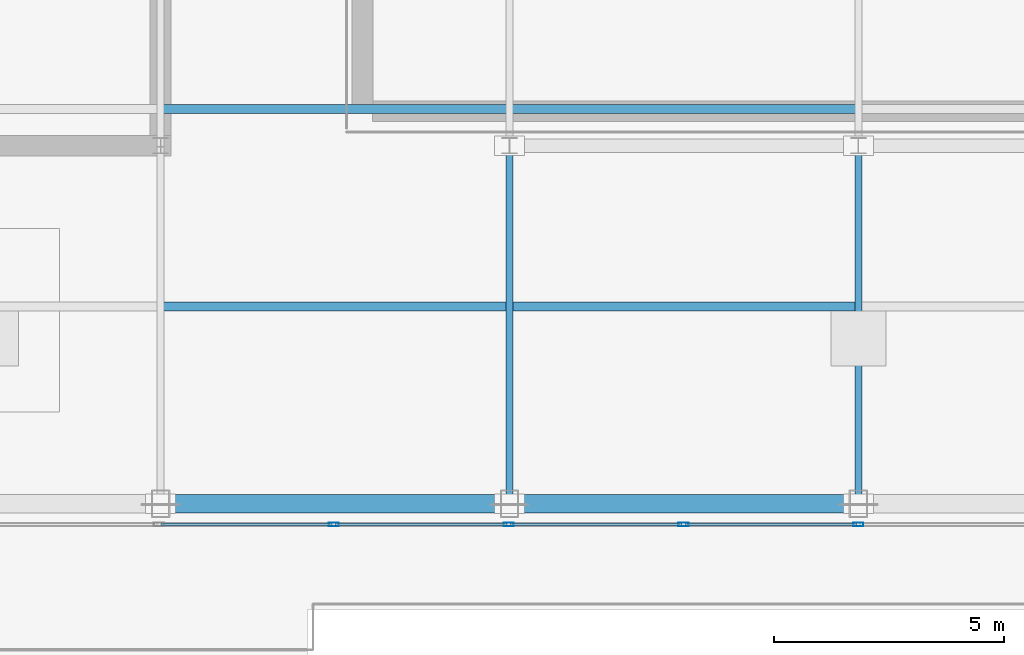
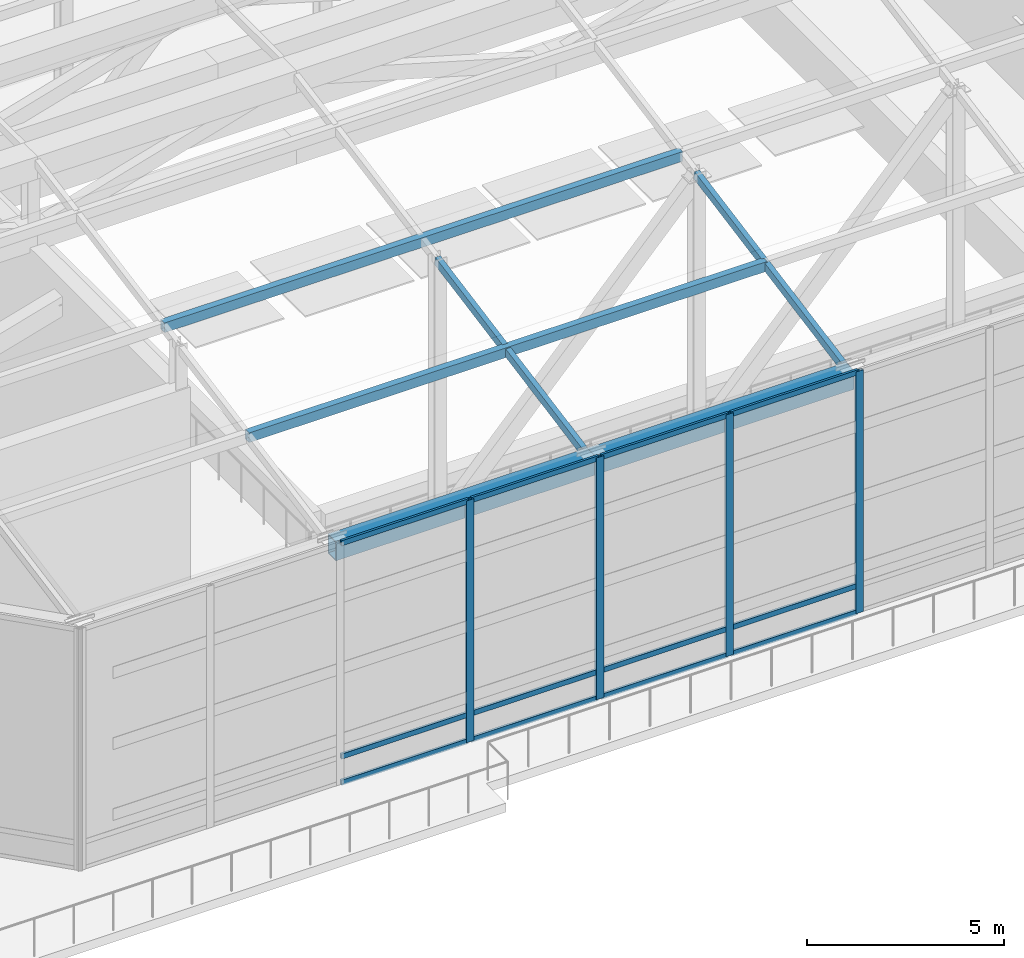
# One storey, part 6 of 25: 20 members, 2 beams, 1 element without a shape of its own.
"""IFC4 building model written with IfcOpenShell, lengths in metres."""

from ifc_helpers import new_model, si_unit, direction, frame, origin, origin_2d, place, context, subcontext, project, spatial, hollow_rectangle, extrude, source, transform, mapped, material, layer, layer_set, material_profile, profile_set, type_object, type_shapes, element, aggregate, save


model = new_model("IFC4")

# Units and contexts
model_context = context("Model", 3, precision=1e-05, world=origin(), true_north=direction((0.0, 1.0)))
body_context = subcontext(model_context, "Body", "Model", "MODEL_VIEW")
ifc_project = project(units=[si_unit("LENGTHUNIT", "METRE"), si_unit("AREAUNIT", "SQUARE_METRE"), si_unit("VOLUMEUNIT", "CUBIC_METRE"), si_unit("PLANEANGLEUNIT", "RADIAN"), si_unit("MASSUNIT", "GRAM", prefix="KILO")], contexts=[model_context])

# Site, building, storey
site_placement = place(None, origin())
site = spatial("IfcSite", under=ifc_project, at=site_placement, CompositionType="ELEMENT")
building_placement = place(site_placement, origin())
building = spatial("IfcBuilding", under=site, at=building_placement, Name="Haelvirn Gate Laboratories", CompositionType="ELEMENT")
storey_placement = place(building_placement, frame((0.0, 0.0, 337.800048828125)))
storey = spatial("IfcBuildingStorey", under=building, at=storey_placement, Name="RF", CompositionType="ELEMENT", Elevation=337.800048828125)

# Beams
ifc_material_1 = material(Name="Steel SM420", Category="steel")
ifc_material_profile_1 = material_profile(ifc_material_1, hollow_rectangle(XDim=0.39990234375, YDim=0.60009765625, WallThickness=0.02490234375, at=origin_2d()), Name="BOX-600x400x25")
ifc_profile_set_1 = profile_set([ifc_material_profile_1], Name="Steel SM420")
beam_type = type_object("IfcBeamType", Name="BM-CROWN-CAP", PredefinedType="USERDEFINED", material=ifc_profile_set_1)
shared_shape_1 = source(origin(), body_context, "Body", "SweptSolid", [
    extrude(hollow_rectangle(XDim=0.39990234375, YDim=0.60009765625, WallThickness=0.02490234375, at=origin_2d()), origin(), (0.0, 0.0, 1.0), 7.60009765625),
])
beam_1_placement = place(storey_placement, frame((22.199951171875, 7.0, 7.050048828125), z_axis=(1.0, 0.0, 0.0), x_axis=(0.0, 1.0, 0.0)))
element("IfcBeam", 1, at=beam_1_placement, inside=storey, type_object=beam_type, Name="RF Crown Frame Cap Ring Beam S2-S3", ObjectType="CROWN FRAME", PredefinedType="USERDEFINED", context=body_context, shape_type="MappedRepresentation", body=[
    mapped(shared_shape_1, transform((0.0, 0.0, 0.0), scale=1.0)),
])
shared_shape_2 = source(origin(), body_context, "Body", "SweptSolid", [
    extrude(hollow_rectangle(XDim=0.39990234375, YDim=0.60009765625, WallThickness=0.02490234375, at=origin_2d()), origin(), (0.0, 0.0, 1.0), 7.599853515625),
])
type_shapes(beam_type, [shared_shape_1, shared_shape_2])
beam_2_placement = place(storey_placement, frame((29.800048828125, 7.0, 7.050048828125), z_axis=(1.0, 0.0, 0.0), x_axis=(0.0, 1.0, 0.0)))
element("IfcBeam", 2, at=beam_2_placement, inside=storey, type_object=beam_type, Name="RF Crown Frame Cap Ring Beam S3-S4", ObjectType="CROWN FRAME", PredefinedType="USERDEFINED", context=body_context, shape_type="MappedRepresentation", body=[
    mapped(shared_shape_2, transform((0.0, 0.0, 0.0), scale=1.0)),
])

# Members
ifc_material_2 = material(Name="Steel SM355", Category="steel")
ifc_material_profile_2 = material_profile(ifc_material_2, hollow_rectangle(XDim=0.14990234375, YDim=0.25, WallThickness=0.010009765625, at=origin_2d()), Name="RHS-250x150x10")
ifc_profile_set_2 = profile_set([ifc_material_profile_2], Name="Steel SM355")
member_type_1 = type_object("IfcMemberType", Name="MEM-CROWN-RAF", PredefinedType="RAFTER", material=ifc_profile_set_2)
shared_shape_3 = source(origin(), body_context, "Body", "SweptSolid", [
    extrude(hollow_rectangle(XDim=0.14990234375, YDim=0.25, WallThickness=0.010009765625, at=origin_2d()), origin(), (0.0, 0.0, 1.0), 7.9375),
])
type_shapes(member_type_1, [shared_shape_3])
for number, where, z_axis, x_axis, name in (
    (3, (29.800048828125, 7.0, 7.099853515625), (0.0, 0.982673493777, 0.185345096044), (-1.0, 0.0, 0.0), "RF Vault Rafter Chord X29.8-1"),
    (4, (37.39990234375, 7.0, 7.099853515625), (0.0, 0.982673493777, 0.185345096044), (-1.0, 0.0, 0.0), "RF Vault Rafter Chord X37.4-1"),
):
    element("IfcMember", number, at=place(storey_placement, frame(where, z_axis=z_axis, x_axis=x_axis)), inside=storey, type_object=member_type_1, Name=name, PredefinedType="RAFTER", context=body_context, shape_type="MappedRepresentation", body=[
        mapped(shared_shape_3, transform((0.0, 0.0, 0.0), scale=1.0)),
    ])
ifc_material_profile_3 = material_profile(ifc_material_2, hollow_rectangle(XDim=0.199951171875, YDim=0.300048828125, WallThickness=0.011962890625, at=origin_2d()), Name="RHS-300x200x12")
ifc_profile_set_3 = profile_set([ifc_material_profile_3], Name="Steel SM355")
member_type_2 = type_object("IfcMemberType", Name="MEM-ROOF-PURL", PredefinedType="PURLIN", material=ifc_profile_set_3)
shared_shape_4 = source(origin(), body_context, "Body", "SweptSolid", [
    extrude(hollow_rectangle(XDim=0.199951171875, YDim=0.300048828125, WallThickness=0.011962890625, at=origin_2d()), origin(), (0.0, 0.0, 1.0), 15.199951171875),
])
type_shapes(member_type_2, [shared_shape_4])
for number, where, z_axis, x_axis, name in (
    (5, (22.199951171875, 11.300048828125, 7.89990234375), (1.0, 0.0, 0.0), (0.0, 1.0, 0.0), "RF Vault Purlin 1 (22.2-37.4)"),
    (6, (22.199951171875, 15.60009765625, 8.699951171875), (1.0, 0.0, 0.0), (0.0, 1.0, 0.0), "RF Vault Purlin 2 (22.2-37.4)"),
):
    element("IfcMember", number, at=place(storey_placement, frame(where, z_axis=z_axis, x_axis=x_axis)), inside=storey, type_object=member_type_2, Name=name, PredefinedType="PURLIN", context=body_context, shape_type="MappedRepresentation", body=[
        mapped(shared_shape_4, transform((0.0, 0.0, 0.0), scale=1.0)),
    ])

# Curtain wall, members
ifc_material_3 = material(Name="Anodised bronze unitised aluminium & triple low-E glass", Category="aluminium")
ifc_layer = layer(ifc_material_3, 0.19189453125, Name="CW-SYS-6")
ifc_layer_set = layer_set([ifc_layer], Name="Anodised bronze unitised aluminium & triple low-E glass")
curtain_wall_type = type_object("IfcCurtainWallType", Name="CW-SYS-6", PredefinedType="NOTDEFINED", material=ifc_layer_set)
curtain_wall_placement = place(storey_placement, origin())
curtain_wall = element("IfcCurtainWall", 7, at=curtain_wall_placement, inside=storey, type_object=curtain_wall_type, Name="RF Unitised Curtain Wall CW-RF-RING-00", PredefinedType="NOTDEFINED")
ifc_material_4 = material(Name="Extruded aluminium 6063-T6 (anodised bronze)", Category="aluminium")
ifc_material_profile_4 = material_profile(ifc_material_4, hollow_rectangle(XDim=0.080078125, YDim=0.219970703125, WallThickness=0.006103515625, at=origin_2d()), Name="CWM-220x80x6")
ifc_profile_set_4 = profile_set([ifc_material_profile_4], Name="Extruded aluminium 6063-T6 (anodised bronze)")
member_type_3 = type_object("IfcMemberType", Name="CWM-T220", PredefinedType="MULLION", material=ifc_profile_set_4)
shared_shape_5 = source(origin(), body_context, "Body", "SweptSolid", [
    extrude(hollow_rectangle(XDim=0.080078125, YDim=0.219970703125, WallThickness=0.006103515625, at=origin_2d()), origin(), (0.0, 0.0, 1.0), 7.5),
])
type_shapes(member_type_3, [shared_shape_5])
member_1_placement = place(storey_placement, frame((25.97509765625, 6.550048828125, 0.0), z_axis=(0.0, 0.0, 1.0), x_axis=(0.0, 1.0, 0.0)))
member_1 = element("IfcMember", 8, at=member_1_placement, type_object=member_type_3, Name="CW6 mullion 4", PredefinedType="MULLION", context=body_context, shape_type="MappedRepresentation", body=[
    mapped(shared_shape_5, transform((0.0, 0.0, 0.0), scale=1.0)),
])
member_2_placement = place(storey_placement, frame((29.783447265625, 6.550048828125, 0.0), z_axis=(0.0, 0.0, 1.0), x_axis=(0.0, 1.0, 0.0)))
member_2 = element("IfcMember", 9, at=member_2_placement, type_object=member_type_3, Name="CW6 mullion 5", PredefinedType="MULLION", context=body_context, shape_type="MappedRepresentation", body=[
    mapped(shared_shape_5, transform((0.0, 0.0, 0.0), scale=1.0)),
])
member_3_placement = place(storey_placement, frame((33.591552734375, 6.550048828125, 0.0), z_axis=(0.0, 0.0, 1.0), x_axis=(0.0, 1.0, 0.0)))
member_3 = element("IfcMember", 10, at=member_3_placement, type_object=member_type_3, Name="CW6 mullion 6", PredefinedType="MULLION", context=body_context, shape_type="MappedRepresentation", body=[
    mapped(shared_shape_5, transform((0.0, 0.0, 0.0), scale=1.0)),
])
member_4_placement = place(storey_placement, frame((37.39990234375, 6.550048828125, 0.0), z_axis=(0.0, 0.0, 1.0), x_axis=(0.0, 1.0, 0.0)))
member_4 = element("IfcMember", 11, at=member_4_placement, type_object=member_type_3, Name="CW6 mullion 7", PredefinedType="MULLION", context=body_context, shape_type="MappedRepresentation", body=[
    mapped(shared_shape_5, transform((0.0, 0.0, 0.0), scale=1.0)),
])
ifc_material_profile_5 = material_profile(ifc_material_4, hollow_rectangle(XDim=0.070068359375, YDim=0.159912109375, WallThickness=0.0048828125, at=origin_2d()), Name="CWT-160x70x5")
ifc_profile_set_5 = profile_set([ifc_material_profile_5], Name="Extruded aluminium 6063-T6 (anodised bronze)")
member_type_4 = type_object("IfcMemberType", Name="CWT-T160", PredefinedType="USERDEFINED", material=ifc_profile_set_5)
shared_shape_6 = source(origin(), body_context, "Body", "SweptSolid", [
    extrude(hollow_rectangle(XDim=0.070068359375, YDim=0.159912109375, WallThickness=0.0048828125, at=origin_2d()), origin(), (0.0, 0.0, 1.0), 3.728271484375),
])
member_5_placement = place(storey_placement, frame((22.206787109375, 6.550048828125, 0.034912109375), z_axis=(1.0, 0.0, 0.0), x_axis=(0.0, 1.0, 0.0)))
member_5 = element("IfcMember", 12, at=member_5_placement, type_object=member_type_4, Name="CW6 transom 3.1", ObjectType="TRANSOM", PredefinedType="USERDEFINED", context=body_context, shape_type="MappedRepresentation", body=[
    mapped(shared_shape_6, transform((0.0, 0.0, 0.0), scale=1.0)),
])
member_6_placement = place(storey_placement, frame((22.206787109375, 6.550048828125, 0.849853515625), z_axis=(1.0, 0.0, 0.0), x_axis=(0.0, 1.0, 0.0)))
member_6 = element("IfcMember", 13, at=member_6_placement, type_object=member_type_4, Name="CW6 transom 3.2", ObjectType="TRANSOM", PredefinedType="USERDEFINED", context=body_context, shape_type="MappedRepresentation", body=[
    mapped(shared_shape_6, transform((0.0, 0.0, 0.0), scale=1.0)),
])
member_7_placement = place(storey_placement, frame((22.206787109375, 6.550048828125, 7.46484375), z_axis=(1.0, 0.0, 0.0), x_axis=(0.0, 1.0, 0.0)))
member_7 = element("IfcMember", 14, at=member_7_placement, type_object=member_type_4, Name="CW6 transom 3.3", ObjectType="TRANSOM", PredefinedType="USERDEFINED", context=body_context, shape_type="MappedRepresentation", body=[
    mapped(shared_shape_6, transform((0.0, 0.0, 0.0), scale=1.0)),
])
shared_shape_7 = source(origin(), body_context, "Body", "SweptSolid", [
    extrude(hollow_rectangle(XDim=0.070068359375, YDim=0.159912109375, WallThickness=0.0048828125, at=origin_2d()), origin(), (0.0, 0.0, 1.0), 3.728515625),
])
type_shapes(member_type_4, [shared_shape_6, shared_shape_7])
member_8_placement = place(storey_placement, frame((26.014892578125, 6.550048828125, 0.034912109375), z_axis=(1.0, 0.0, 0.0), x_axis=(0.0, 1.0, 0.0)))
member_8 = element("IfcMember", 15, at=member_8_placement, type_object=member_type_4, Name="CW6 transom 4.1", ObjectType="TRANSOM", PredefinedType="USERDEFINED", context=body_context, shape_type="MappedRepresentation", body=[
    mapped(shared_shape_7, transform((0.0, 0.0, 0.0), scale=1.0)),
])
member_9_placement = place(storey_placement, frame((26.014892578125, 6.550048828125, 0.849853515625), z_axis=(1.0, 0.0, 0.0), x_axis=(0.0, 1.0, 0.0)))
member_9 = element("IfcMember", 16, at=member_9_placement, type_object=member_type_4, Name="CW6 transom 4.2", ObjectType="TRANSOM", PredefinedType="USERDEFINED", context=body_context, shape_type="MappedRepresentation", body=[
    mapped(shared_shape_7, transform((0.0, 0.0, 0.0), scale=1.0)),
])
member_10_placement = place(storey_placement, frame((26.014892578125, 6.550048828125, 7.46484375), z_axis=(1.0, 0.0, 0.0), x_axis=(0.0, 1.0, 0.0)))
member_10 = element("IfcMember", 17, at=member_10_placement, type_object=member_type_4, Name="CW6 transom 4.3", ObjectType="TRANSOM", PredefinedType="USERDEFINED", context=body_context, shape_type="MappedRepresentation", body=[
    mapped(shared_shape_7, transform((0.0, 0.0, 0.0), scale=1.0)),
])
member_11_placement = place(storey_placement, frame((29.8232421875, 6.550048828125, 0.034912109375), z_axis=(1.0, 0.0, 0.0), x_axis=(0.0, 1.0, 0.0)))
member_11 = element("IfcMember", 18, at=member_11_placement, type_object=member_type_4, Name="CW6 transom 5.1", ObjectType="TRANSOM", PredefinedType="USERDEFINED", context=body_context, shape_type="MappedRepresentation", body=[
    mapped(shared_shape_7, transform((0.0, 0.0, 0.0), scale=1.0)),
])
member_12_placement = place(storey_placement, frame((29.8232421875, 6.550048828125, 0.849853515625), z_axis=(1.0, 0.0, 0.0), x_axis=(0.0, 1.0, 0.0)))
member_12 = element("IfcMember", 19, at=member_12_placement, type_object=member_type_4, Name="CW6 transom 5.2", ObjectType="TRANSOM", PredefinedType="USERDEFINED", context=body_context, shape_type="MappedRepresentation", body=[
    mapped(shared_shape_7, transform((0.0, 0.0, 0.0), scale=1.0)),
])
member_13_placement = place(storey_placement, frame((29.8232421875, 6.550048828125, 7.46484375), z_axis=(1.0, 0.0, 0.0), x_axis=(0.0, 1.0, 0.0)))
member_13 = element("IfcMember", 20, at=member_13_placement, type_object=member_type_4, Name="CW6 transom 5.3", ObjectType="TRANSOM", PredefinedType="USERDEFINED", context=body_context, shape_type="MappedRepresentation", body=[
    mapped(shared_shape_7, transform((0.0, 0.0, 0.0), scale=1.0)),
])
member_14_placement = place(storey_placement, frame((33.631591796875, 6.550048828125, 0.034912109375), z_axis=(1.0, 0.0, 0.0), x_axis=(0.0, 1.0, 0.0)))
member_14 = element("IfcMember", 21, at=member_14_placement, type_object=member_type_4, Name="CW6 transom 6.1", ObjectType="TRANSOM", PredefinedType="USERDEFINED", context=body_context, shape_type="MappedRepresentation", body=[
    mapped(shared_shape_7, transform((0.0, 0.0, 0.0), scale=1.0)),
])
member_15_placement = place(storey_placement, frame((33.631591796875, 6.550048828125, 0.849853515625), z_axis=(1.0, 0.0, 0.0), x_axis=(0.0, 1.0, 0.0)))
member_15 = element("IfcMember", 22, at=member_15_placement, type_object=member_type_4, Name="CW6 transom 6.2", ObjectType="TRANSOM", PredefinedType="USERDEFINED", context=body_context, shape_type="MappedRepresentation", body=[
    mapped(shared_shape_7, transform((0.0, 0.0, 0.0), scale=1.0)),
])
member_16_placement = place(storey_placement, frame((33.631591796875, 6.550048828125, 7.46484375), z_axis=(1.0, 0.0, 0.0), x_axis=(0.0, 1.0, 0.0)))
member_16 = element("IfcMember", 23, at=member_16_placement, type_object=member_type_4, Name="CW6 transom 6.3", ObjectType="TRANSOM", PredefinedType="USERDEFINED", context=body_context, shape_type="MappedRepresentation", body=[
    mapped(shared_shape_7, transform((0.0, 0.0, 0.0), scale=1.0)),
])
aggregate(curtain_wall, [member_1, member_2, member_3, member_4, member_5, member_6, member_7, member_8, member_9, member_10, member_11, member_12, member_13, member_14, member_15, member_16])

save(model, "model.ifc")
